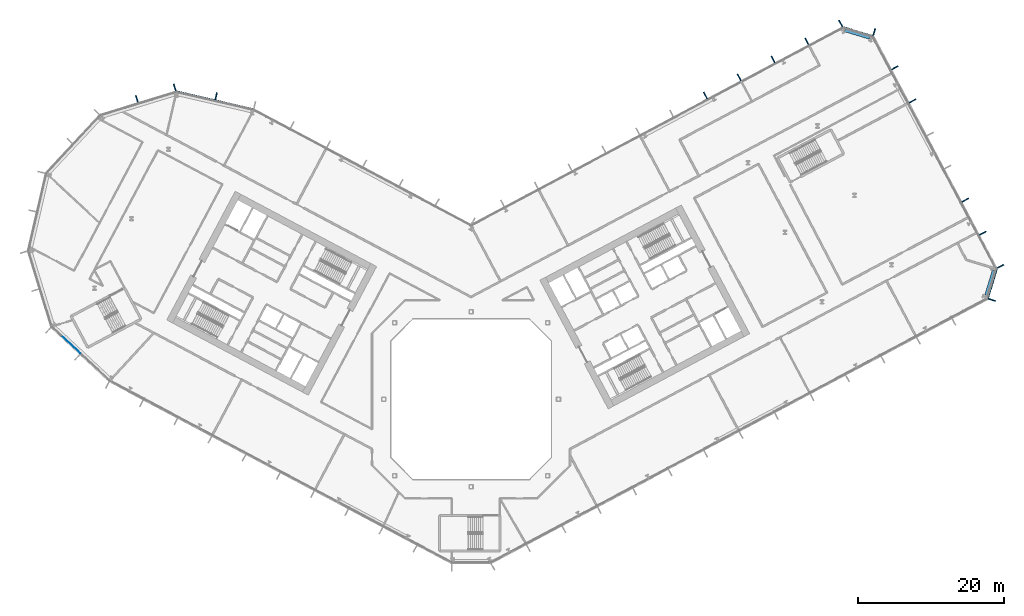
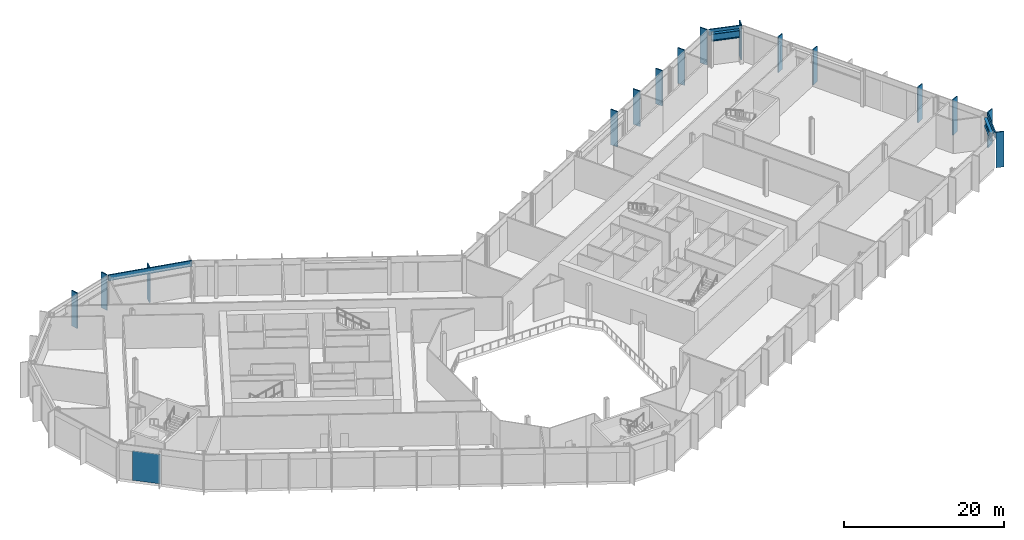
# One storey, part 8 of 32: 18 members, 2 beams, 1 plate, 7 elements without a shape of their own.
"""IFC4 building model written with IfcOpenShell, lengths in metres."""

from ifc_helpers import new_model, si_unit, direction, frame, origin, origin_2d, place, context, subcontext, project, spatial, rectangle, i_section, extrude, material, layer, layer_set, material_profile, profile_set, type_object, element, aggregate, save


model = new_model("IFC4")

# Units and contexts
model_context = context("Model", 3, precision=1e-05, world=origin(), true_north=direction((0.0, 1.0)))
body_context = subcontext(model_context, "Body", "Model", "MODEL_VIEW")
ifc_project = project(units=[si_unit("LENGTHUNIT", "METRE"), si_unit("AREAUNIT", "SQUARE_METRE"), si_unit("VOLUMEUNIT", "CUBIC_METRE"), si_unit("PLANEANGLEUNIT", "RADIAN"), si_unit("MASSUNIT", "GRAM", prefix="KILO")], contexts=[model_context])

# Site, building, storey
site_placement = place(None, origin())
site = spatial("IfcSite", under=ifc_project, at=site_placement, CompositionType="ELEMENT")
building_placement = place(site_placement, origin())
building = spatial("IfcBuilding", under=site, at=building_placement, Name="Cormorant Relay Tower", CompositionType="ELEMENT")
storey_placement = place(building_placement, frame((0.0, 0.0, 60.800048828125)))
storey = spatial("IfcBuildingStorey", under=building, at=storey_placement, Name="L11", CompositionType="ELEMENT", Elevation=60.800048828125)

# Curtain wall, member
ifc_material_1 = material(Name="Aluminium 6063-T6 anodised bronze", Category="aluminium")
ifc_layer_1 = layer(ifc_material_1, 0.235107421875)
ifc_layer_set_1 = layer_set([ifc_layer_1], Name="CW6 data hall curtain wall with mineral wool panels")
curtain_wall_type = type_object("IfcCurtainWallType", Name="CW6 data hall curtain wall with mineral wool panels", PredefinedType="NOTDEFINED", material=ifc_layer_set_1)
curtain_wall_1_placement = place(storey_placement, origin())
curtain_wall_1 = element("IfcCurtainWall", 1, at=curtain_wall_1_placement, inside=storey, type_object=curtain_wall_type, Name="CW6 curtain wall 3", PredefinedType="NOTDEFINED")
ifc_material_2 = material(Name="Aluminium 6063-T6 anodised bronze", Category="aluminium")
ifc_material_profile_1 = material_profile(ifc_material_2, rectangle(XDim=0.14990234375, YDim=1.0, at=origin_2d()), Name="AL 150x1000")
ifc_profile_set_1 = profile_set([ifc_material_profile_1], Name="Aluminium 6063-T6 anodised bronze")
member_type_1 = type_object("IfcMemberType", Name="CW6 bronze fin mullion 150 x 1000", PredefinedType="MULLION", material=ifc_profile_set_1)
member_1_placement = place(storey_placement, frame((71.485107421875, 13.63671875, 0.0), z_axis=(0.0, 0.0, 1.0), x_axis=(0.292371704723, 0.956304755963, 0.0)))
member_1 = element("IfcMember", 2, at=member_1_placement, type_object=member_type_1, Name="CW6 fin 3.1", PredefinedType="MULLION", context=body_context, shape_type="SweptSolid", body=[
    extrude(rectangle(XDim=0.14990234375, YDim=1.0, at=origin_2d()), origin(), (0.0, 0.0, 1.0), 5.39990234375),
])

# Curtain wall, members
curtain_wall_2_placement = place(storey_placement, origin())
curtain_wall_2 = element("IfcCurtainWall", 3, at=curtain_wall_2_placement, inside=storey, type_object=curtain_wall_type, Name="CW6 curtain wall 4", PredefinedType="NOTDEFINED")
member_2_placement = place(storey_placement, frame((72.671630859375, 18.25390625, 0.0), z_axis=(0.0, 0.0, 1.0), x_axis=(-0.469471562786, 0.882947592859, 0.0)))
member_2 = element("IfcMember", 4, at=member_2_placement, type_object=member_type_1, Name="CW6 fin 4.1", PredefinedType="MULLION", context=body_context, shape_type="SweptSolid", body=[
    extrude(rectangle(XDim=0.14990234375, YDim=1.0, at=origin_2d()), origin(), (0.0, 0.0, 1.0), 5.39990234375),
])
member_3_placement = place(storey_placement, frame((70.25732421875, 22.794921875, 0.0), z_axis=(0.0, 0.0, 1.0), x_axis=(-0.469471562786, 0.882947592859, 0.0)))
member_3 = element("IfcMember", 5, at=member_3_placement, type_object=member_type_1, Name="CW6 fin 4.2", PredefinedType="MULLION", context=body_context, shape_type="SweptSolid", body=[
    extrude(rectangle(XDim=0.14990234375, YDim=1.0, at=origin_2d()), origin(), (0.0, 0.0, 1.0), 5.39990234375),
])
member_4_placement = place(storey_placement, frame((67.8427734375, 27.335693359375, 0.0), z_axis=(0.0, 0.0, 1.0), x_axis=(-0.469471562786, 0.882947592859, 0.0)))
member_4 = element("IfcMember", 6, at=member_4_placement, type_object=member_type_1, Name="CW6 fin 4.3", PredefinedType="MULLION", context=body_context, shape_type="SweptSolid", body=[
    extrude(rectangle(XDim=0.14990234375, YDim=1.0, at=origin_2d()), origin(), (0.0, 0.0, 1.0), 5.39990234375),
])
member_5_placement = place(storey_placement, frame((60.599609375, 40.958251953125, 0.0), z_axis=(0.0, 0.0, 1.0), x_axis=(-0.469471562786, 0.882947592859, 0.0)))
member_5 = element("IfcMember", 7, at=member_5_placement, type_object=member_type_1, Name="CW6 fin 4.6", PredefinedType="MULLION", context=body_context, shape_type="SweptSolid", body=[
    extrude(rectangle(XDim=0.14990234375, YDim=1.0, at=origin_2d()), origin(), (0.0, 0.0, 1.0), 5.39990234375),
])
member_6_placement = place(storey_placement, frame((58.18505859375, 45.499267578125, 0.0), z_axis=(0.0, 0.0, 1.0), x_axis=(-0.469471562786, 0.882947592859, 0.0)))
member_6 = element("IfcMember", 8, at=member_6_placement, type_object=member_type_1, Name="CW6 fin 4.7", PredefinedType="MULLION", context=body_context, shape_type="SweptSolid", body=[
    extrude(rectangle(XDim=0.14990234375, YDim=1.0, at=origin_2d()), origin(), (0.0, 0.0, 1.0), 5.39990234375),
])
aggregate(curtain_wall_2, [member_2, member_3, member_4, member_5, member_6])

# Curtain wall, member
curtain_wall_3_placement = place(storey_placement, origin())
curtain_wall_3 = element("IfcCurtainWall", 9, at=curtain_wall_3_placement, inside=storey, type_object=curtain_wall_type, Name="CW6 curtain wall 5", PredefinedType="NOTDEFINED")
member_7_placement = place(storey_placement, frame((55.336669921875, 50.39794921875, 0.0), z_axis=(0.0, 0.0, 1.0), x_axis=(-0.956304755963, 0.292371704723, 0.0)))
member_7 = element("IfcMember", 10, at=member_7_placement, type_object=member_type_1, Name="CW6 fin 5.1", PredefinedType="MULLION", context=body_context, shape_type="SweptSolid", body=[
    extrude(rectangle(XDim=0.14990234375, YDim=1.0, at=origin_2d()), origin(), (0.0, 0.0, 1.0), 5.39990234375),
])

# Curtain wall, members
curtain_wall_4_placement = place(storey_placement, origin())
curtain_wall_4 = element("IfcCurtainWall", 11, at=curtain_wall_4_placement, inside=storey, type_object=curtain_wall_type, Name="CW6 curtain wall 6", PredefinedType="NOTDEFINED")
member_8_placement = place(storey_placement, frame((50.719482421875, 51.58447265625, 0.0), z_axis=(0.0, 0.0, 1.0), x_axis=(-0.882947592859, -0.469471562786, 0.0)))
member_8 = element("IfcMember", 12, at=member_8_placement, type_object=member_type_1, Name="CW6 fin 6.1", PredefinedType="MULLION", context=body_context, shape_type="SweptSolid", body=[
    extrude(rectangle(XDim=0.14990234375, YDim=1.0, at=origin_2d()), origin(), (0.0, 0.0, 1.0), 5.39990234375),
])
member_9_placement = place(storey_placement, frame((46.0771484375, 49.1162109375, 0.0), z_axis=(0.0, 0.0, 1.0), x_axis=(-0.882947592859, -0.469471562786, 0.0)))
member_9 = element("IfcMember", 13, at=member_9_placement, type_object=member_type_1, Name="CW6 fin 6.2", PredefinedType="MULLION", context=body_context, shape_type="SweptSolid", body=[
    extrude(rectangle(XDim=0.14990234375, YDim=1.0, at=origin_2d()), origin(), (0.0, 0.0, 1.0), 5.39990234375),
])
member_10_placement = place(storey_placement, frame((41.43505859375, 46.647705078125, 0.0), z_axis=(0.0, 0.0, 1.0), x_axis=(-0.882947592859, -0.469471562786, 0.0)))
member_10 = element("IfcMember", 14, at=member_10_placement, type_object=member_type_1, Name="CW6 fin 6.3", PredefinedType="MULLION", context=body_context, shape_type="SweptSolid", body=[
    extrude(rectangle(XDim=0.14990234375, YDim=1.0, at=origin_2d()), origin(), (0.0, 0.0, 1.0), 5.39990234375),
])
member_11_placement = place(storey_placement, frame((36.792724609375, 44.179443359375, 0.0), z_axis=(0.0, 0.0, 1.0), x_axis=(-0.882947592859, -0.469471562786, 0.0)))
member_11 = element("IfcMember", 15, at=member_11_placement, type_object=member_type_1, Name="CW6 fin 6.4", PredefinedType="MULLION", context=body_context, shape_type="SweptSolid", body=[
    extrude(rectangle(XDim=0.14990234375, YDim=1.0, at=origin_2d()), origin(), (0.0, 0.0, 1.0), 5.39990234375),
])
member_12_placement = place(storey_placement, frame((32.150390625, 41.711181640625, 0.0), z_axis=(0.0, 0.0, 1.0), x_axis=(-0.882947592859, -0.469471562786, 0.0)))
member_12 = element("IfcMember", 16, at=member_12_placement, type_object=member_type_1, Name="CW6 fin 6.5", PredefinedType="MULLION", context=body_context, shape_type="SweptSolid", body=[
    extrude(rectangle(XDim=0.14990234375, YDim=1.0, at=origin_2d()), origin(), (0.0, 0.0, 1.0), 5.39990234375),
])
aggregate(curtain_wall_4, [member_8, member_9, member_10, member_11, member_12])

# Curtain wall, member
curtain_wall_5_placement = place(storey_placement, origin())
curtain_wall_5 = element("IfcCurtainWall", 17, at=curtain_wall_5_placement, inside=storey, type_object=curtain_wall_type, Name="CW6 curtain wall 8", PredefinedType="NOTDEFINED")
member_13_placement = place(storey_placement, frame((-35.00439453125, 41.60693359375, 0.0), z_axis=(0.0, 0.0, 1.0), x_axis=(-0.974370064785, 0.224951054344, 0.0)))
member_13 = element("IfcMember", 18, at=member_13_placement, type_object=member_type_1, Name="CW6 fin 8.2", PredefinedType="MULLION", context=body_context, shape_type="SweptSolid", body=[
    extrude(rectangle(XDim=0.14990234375, YDim=1.0, at=origin_2d()), origin(), (0.0, 0.0, 1.0), 5.39990234375),
])

# Curtain wall, members
curtain_wall_6_placement = place(storey_placement, origin())
curtain_wall_6 = element("IfcCurtainWall", 19, at=curtain_wall_6_placement, inside=storey, type_object=curtain_wall_type, Name="CW6 curtain wall 9", PredefinedType="NOTDEFINED")
member_14_placement = place(storey_placement, frame((-40.680419921875, 42.81640625, 0.0), z_axis=(0.0, 0.0, 1.0), x_axis=(-0.956304755963, -0.292371704723, 0.0)))
member_14 = element("IfcMember", 20, at=member_14_placement, type_object=member_type_1, Name="CW6 fin 9.1", PredefinedType="MULLION", context=body_context, shape_type="SweptSolid", body=[
    extrude(rectangle(XDim=0.14990234375, YDim=1.0, at=origin_2d()), origin(), (0.0, 0.0, 1.0), 5.39990234375),
])
member_15_placement = place(storey_placement, frame((-45.878173828125, 41.227294921875, 0.0), z_axis=(0.0, 0.0, 1.0), x_axis=(-0.956304755963, -0.292371704723, 0.0)))
member_15 = element("IfcMember", 21, at=member_15_placement, type_object=member_type_1, Name="CW6 fin 9.2", PredefinedType="MULLION", context=body_context, shape_type="SweptSolid", body=[
    extrude(rectangle(XDim=0.14990234375, YDim=1.0, at=origin_2d()), origin(), (0.0, 0.0, 1.0), 5.39990234375),
])
aggregate(curtain_wall_6, [member_14, member_15])

# Member
ifc_material_3 = material(Name="Aluminium 6063-T6 anodised bronze", Category="aluminium")
ifc_material_profile_2 = material_profile(ifc_material_3, rectangle(XDim=0.159912109375, YDim=0.89990234375, at=origin_2d()), Name="AL 160x900")
ifc_profile_set_2 = profile_set([ifc_material_profile_2], Name="Aluminium 6063-T6 anodised bronze")
member_type_2 = type_object("IfcMemberType", Name="CW6 bronze transom 160 x 900", PredefinedType="USERDEFINED", material=ifc_profile_set_2)
member_16_placement = place(storey_placement, frame((70.930419921875, 13.806396484375, 4.949951171875), z_axis=(0.292391046905, 0.95629884225, 0.0), x_axis=(-0.95629884225, 0.292391046905, 0.0)))
member_16 = element("IfcMember", 22, at=member_16_placement, type_object=member_type_2, Name="CW6 transom 3", ObjectType="TRANSOM", PredefinedType="USERDEFINED", context=body_context, shape_type="SweptSolid", body=[
    extrude(rectangle(XDim=0.159912109375, YDim=0.89990234375, at=origin_2d()), origin(), (0.0, 0.0, 1.0), 4.242431640625),
])

aggregate(curtain_wall_1, [member_1, member_16])

member_17_placement = place(storey_placement, frame((55.1669921875, 49.84326171875, 4.949951171875), z_axis=(-0.95629884225, 0.292391046905, 0.0), x_axis=(-0.292391046905, -0.95629884225, 0.0)))
member_17 = element("IfcMember", 23, at=member_17_placement, type_object=member_type_2, Name="CW6 transom 5", ObjectType="TRANSOM", PredefinedType="USERDEFINED", context=body_context, shape_type="SweptSolid", body=[
    extrude(rectangle(XDim=0.159912109375, YDim=0.89990234375, at=origin_2d()), origin(), (0.0, 0.0, 1.0), 4.242431640625),
])

aggregate(curtain_wall_3, [member_7, member_17])

member_18_placement = place(storey_placement, frame((-29.8388671875, 39.819091796875, 4.949951171875), z_axis=(-0.974369993916, 0.22495136131, 0.0), x_axis=(-0.22495136131, -0.974369993916, 0.0)))
member_18 = element("IfcMember", 24, at=member_18_placement, type_object=member_type_2, Name="CW6 transom 8", ObjectType="TRANSOM", PredefinedType="USERDEFINED", context=body_context, shape_type="SweptSolid", body=[
    extrude(rectangle(XDim=0.159912109375, YDim=0.89990234375, at=origin_2d()), origin(), (0.0, 0.0, 1.0), 10.870361328125),
])

aggregate(curtain_wall_5, [member_13, member_18])

# Beams
ifc_material_4 = material(Name="Steel ASTM A992 (Fy 345 MPa)", Category="steel")
ifc_material_profile_3 = material_profile(ifc_material_4, i_section(OverallWidth=0.408935546875, OverallDepth=1.137939453125, WebThickness=0.031005859375, FlangeThickness=0.05517578125, FilletRadius=0.02001953125, at=origin_2d()), Name="W1100x607")
ifc_profile_set_3 = profile_set([ifc_material_profile_3], Name="Steel ASTM A992 (Fy 345 MPa)")
beam_type = type_object("IfcBeamType", Name="Spandrel W1100x607", PredefinedType="SPANDREL", material=ifc_profile_set_3)
beam_1_placement = place(storey_placement, frame((70.697998046875, 14.275390625, 4.430908203125), z_axis=(0.292400100269, 0.956296074112, 0.0), x_axis=(-0.956296074112, 0.292400100269, 0.0)))
element("IfcBeam", 25, at=beam_1_placement, inside=storey, type_object=beam_type, Name="Spandrel beam L11-003", PredefinedType="SPANDREL", context=body_context, shape_type="SweptSolid", body=[
    extrude(i_section(OverallWidth=0.408935546875, OverallDepth=1.137939453125, WebThickness=0.031005859375, FlangeThickness=0.05517578125, FilletRadius=0.02001953125, at=origin_2d()), origin(), (0.0, 0.0, 1.0), 3.552734375),
])
beam_2_placement = place(storey_placement, frame((54.697998046875, 49.61083984375, 4.430908203125), z_axis=(-0.956309414252, 0.292356467713, 0.0), x_axis=(-0.292356467713, -0.956309414252, 0.0)))
element("IfcBeam", 26, at=beam_2_placement, inside=storey, type_object=beam_type, Name="Spandrel beam L11-005", PredefinedType="SPANDREL", context=body_context, shape_type="SweptSolid", body=[
    extrude(i_section(OverallWidth=0.408935546875, OverallDepth=1.137939453125, WebThickness=0.031005859375, FlangeThickness=0.05517578125, FilletRadius=0.02001953125, at=origin_2d()), origin(), (0.0, 0.0, 1.0), 3.552490234375),
])

# Curtain wall, plate
curtain_wall_7_placement = place(storey_placement, origin())
curtain_wall_7 = element("IfcCurtainWall", 27, at=curtain_wall_7_placement, inside=storey, type_object=curtain_wall_type, Name="CW6 curtain wall 13", PredefinedType="NOTDEFINED")
ifc_material_5 = material(Name="Tinted triple-glazed laminated unit")
ifc_layer_2 = layer(ifc_material_5, 0.074951171875)
ifc_layer_set_2 = layer_set([ifc_layer_2], Name="CW6 triple-glazed vision unit 3600 module")
plate_type = type_object("IfcPlateType", Name="CW6 triple-glazed vision unit 3600 module", PredefinedType="CURTAIN_PANEL", material=ifc_layer_set_2)
plate_placement = place(storey_placement, frame((-54.96337890625, 7.54248046875, 0.0), z_axis=(0.0, 0.0, 1.0), x_axis=(0.731353701619, -0.681998360062, 0.0)))
plate = element("IfcPlate", 28, at=plate_placement, type_object=plate_type, Name="CW6 panel V01", PredefinedType="CURTAIN_PANEL", context=body_context, shape_type="SweptSolid", body=[
    extrude(rectangle(XDim=3.60009765625, YDim=0.074951171875, at=origin_2d()), origin(), (0.0, 0.0, 1.0), 4.5),
])
aggregate(curtain_wall_7, [plate])

save(model, "model.ifc")
